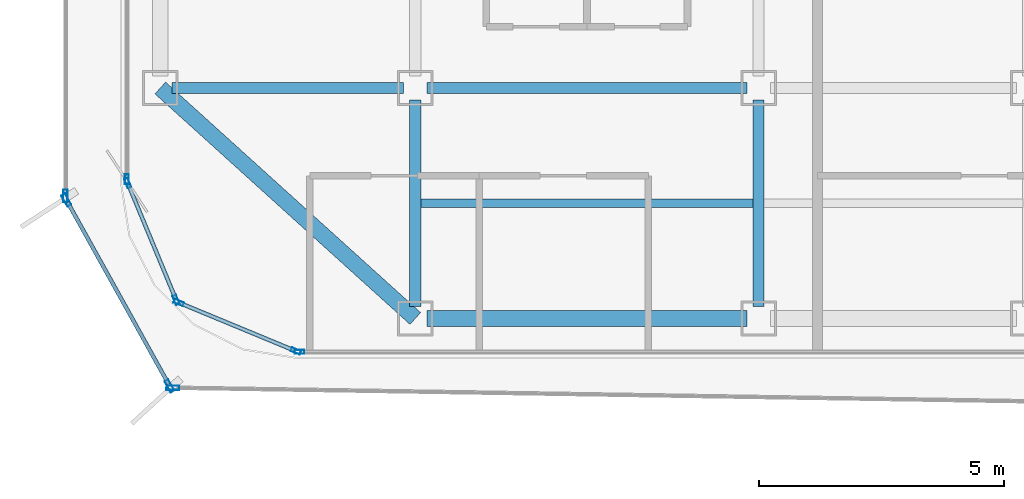
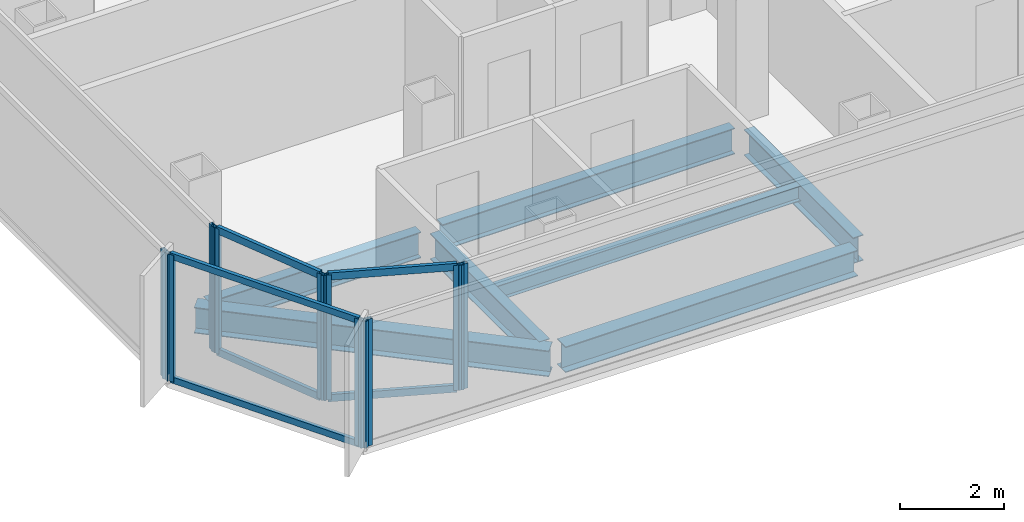
# One storey, part 2 of 16: 16 members, 7 beams, 7 elements without a shape of their own.
"""IFC4 building model written with IfcOpenShell, lengths in metres."""

from ifc_helpers import new_model, si_unit, direction, frame, origin, origin_2d, place, context, subcontext, project, spatial, hollow_rectangle, i_section, extrude, source, transform, mapped, material, layer, layer_set, material_profile, profile_set, type_object, element, aggregate, save


model = new_model("IFC4")

# Units and contexts
model_context = context("Model", 3, precision=1e-05, world=origin(), true_north=direction((0.0, 1.0)))
body_context = subcontext(model_context, "Body", "Model", "MODEL_VIEW")
ifc_project = project(units=[si_unit("LENGTHUNIT", "METRE"), si_unit("AREAUNIT", "SQUARE_METRE"), si_unit("VOLUMEUNIT", "CUBIC_METRE"), si_unit("PLANEANGLEUNIT", "RADIAN"), si_unit("MASSUNIT", "GRAM", prefix="KILO")], contexts=[model_context])

# Site, building, storey
site_placement = place(None, origin())
site = spatial("IfcSite", under=ifc_project, at=site_placement, CompositionType="ELEMENT")
building_placement = place(site_placement, origin())
building = spatial("IfcBuilding", under=site, at=building_placement, Name="Kolveth Station Tower", CompositionType="ELEMENT")
storey_placement = place(building_placement, frame((0.0, 0.0, 156.10009765625)))
storey = spatial("IfcBuildingStorey", under=building, at=storey_placement, Name="L43", CompositionType="ELEMENT", Elevation=156.10009765625)

# Beams
ifc_material_1 = material(Name="Steel S355", Category="steel")
ifc_material_profile_1 = material_profile(ifc_material_1, i_section(OverallWidth=0.323974609375, OverallDepth=0.611083984375, WebThickness=0.0126953125, FlangeThickness=0.01904296875, at=origin_2d()), Name="W610x155")
ifc_profile_set_1 = profile_set([ifc_material_profile_1], Name="Steel S355")
beam_type_1 = type_object("IfcBeamType", Name="Beam_SP2", PredefinedType="SPANDREL", material=ifc_profile_set_1)
shared_shape_1 = source(origin(), body_context, "Body", "SweptSolid", [
    extrude(i_section(OverallWidth=0.323974609375, OverallDepth=0.611083984375, WebThickness=0.0126953125, FlangeThickness=0.01904296875, at=origin_2d()), origin(), (0.0, 0.0, 1.0), 7.00927734375),
])
beam_1_placement = place(storey_placement, frame((0.800048828125, 5.5, -0.5556640625), z_axis=(0.741874009795, -0.670539300557, 0.0), x_axis=(0.670539300557, 0.741874009795, 0.0)))
element("IfcBeam", 1, at=beam_1_placement, inside=storey, type_object=beam_type_1, Name="L43 Corner Edge Girder BM-L43-CNR-SW", PredefinedType="SPANDREL", context=body_context, shape_type="MappedRepresentation", body=[
    mapped(shared_shape_1, transform((0.0, 0.0, 0.0), x_axis=(1.0, 0.0, 0.0), y_axis=(0.0, 1.0, 0.0), z_axis=(0.0, 0.0, 1.0), scale=1.0)),
])
shared_shape_2 = source(origin(), body_context, "Body", "SweptSolid", [
    extrude(i_section(OverallWidth=0.323974609375, OverallDepth=0.611083984375, WebThickness=0.0126953125, FlangeThickness=0.01904296875, at=origin_2d()), origin(), (0.0, 0.0, 1.0), 6.52001953125),
])
beam_2_placement = place(storey_placement, frame((6.239990234375, 0.800048828125, -0.5556640625), z_axis=(1.0, 0.0, 0.0), x_axis=(0.0, 1.0, 0.0)))
element("IfcBeam", 2, at=beam_2_placement, inside=storey, type_object=beam_type_1, Name="L43 Perimeter Spandrel BM-L43-PS-1", PredefinedType="SPANDREL", context=body_context, shape_type="MappedRepresentation", body=[
    mapped(shared_shape_2, transform((0.0, 0.0, 0.0), x_axis=(1.0, 0.0, 0.0), y_axis=(0.0, 1.0, 0.0), z_axis=(0.0, 0.0, 1.0), scale=1.0)),
])
ifc_material_profile_2 = material_profile(ifc_material_1, i_section(OverallWidth=0.22900390625, OverallDepth=0.612060546875, WebThickness=0.011962890625, FlangeThickness=0.01953125, at=origin_2d()), Name="W610x125")
ifc_profile_set_2 = profile_set([ifc_material_profile_2], Name="Steel S355")
beam_type_2 = type_object("IfcBeamType", Name="Beam_B5", PredefinedType="BEAM", material=ifc_profile_set_2)
shared_shape_3 = source(origin(), body_context, "Body", "SweptSolid", [
    extrude(i_section(OverallWidth=0.22900390625, OverallDepth=0.612060546875, WebThickness=0.011962890625, FlangeThickness=0.01953125, at=origin_2d()), origin(), (0.0, 0.0, 1.0), 4.719970703125),
])
beam_3_placement = place(storey_placement, frame((1.0400390625, 5.5, -0.55615234375), z_axis=(1.0, 0.0, 0.0), x_axis=(0.0, 1.0, 0.0)))
element("IfcBeam", 3, at=beam_3_placement, inside=storey, type_object=beam_type_2, Name="L43 Primary Girder BM-L43-GY55-1", PredefinedType="BEAM", context=body_context, shape_type="MappedRepresentation", body=[
    mapped(shared_shape_3, transform((0.0, 0.0, 0.0), x_axis=(1.0, 0.0, 0.0), y_axis=(0.0, 1.0, 0.0), z_axis=(0.0, 0.0, 1.0), scale=1.0)),
])
shared_shape_4 = source(origin(), body_context, "Body", "SweptSolid", [
    extrude(i_section(OverallWidth=0.22900390625, OverallDepth=0.612060546875, WebThickness=0.011962890625, FlangeThickness=0.01953125, at=origin_2d()), origin(), (0.0, 0.0, 1.0), 6.52001953125),
])
beam_4_placement = place(storey_placement, frame((6.239990234375, 5.5, -0.55615234375), z_axis=(1.0, 0.0, 0.0), x_axis=(0.0, 1.0, 0.0)))
element("IfcBeam", 4, at=beam_4_placement, inside=storey, type_object=beam_type_2, Name="L43 Primary Girder BM-L43-GY55-2", PredefinedType="BEAM", context=body_context, shape_type="MappedRepresentation", body=[
    mapped(shared_shape_4, transform((0.0, 0.0, 0.0), x_axis=(1.0, 0.0, 0.0), y_axis=(0.0, 1.0, 0.0), z_axis=(0.0, 0.0, 1.0), scale=1.0)),
])
shared_shape_5 = source(origin(), body_context, "Body", "SweptSolid", [
    extrude(i_section(OverallWidth=0.22900390625, OverallDepth=0.612060546875, WebThickness=0.011962890625, FlangeThickness=0.01953125, at=origin_2d()), origin(), (0.0, 0.0, 1.0), 4.219970703125),
])
for number, where, z_axis, x_axis, name in (
    (5, (6.0, 1.0400390625, -0.55615234375), (0.0, 1.0, 0.0), (-1.0, 0.0, 0.0), "L43 Primary Girder BM-L43-GX60-1"),
    (6, (13.0, 1.0400390625, -0.55615234375), (0.0, 1.0, 0.0), (-1.0, 0.0, 0.0), "L43 Primary Girder BM-L43-GX130-1"),
):
    element("IfcBeam", number, at=place(storey_placement, frame(where, z_axis=z_axis, x_axis=x_axis)), inside=storey, type_object=beam_type_2, Name=name, PredefinedType="BEAM", context=body_context, shape_type="MappedRepresentation", body=[
        mapped(shared_shape_5, transform((0.0, 0.0, 0.0), x_axis=(1.0, 0.0, 0.0), y_axis=(0.0, 1.0, 0.0), z_axis=(0.0, 0.0, 1.0), scale=1.0)),
    ])
ifc_material_profile_3 = material_profile(ifc_material_1, i_section(OverallWidth=0.1708984375, OverallDepth=0.35205078125, WebThickness=0.0068359375, FlangeThickness=0.009765625, at=origin_2d()), Name="W360x44")
ifc_profile_set_3 = profile_set([ifc_material_profile_3], Name="Steel S355")
beam_type_3 = type_object("IfcBeamType", Name="Beam_J2", PredefinedType="JOIST", material=ifc_profile_set_3)
shared_shape_6 = source(origin(), body_context, "Body", "SweptSolid", [
    extrude(i_section(OverallWidth=0.1708984375, OverallDepth=0.35205078125, WebThickness=0.0068359375, FlangeThickness=0.009765625, at=origin_2d()), origin(), (0.0, 0.0, 1.0), 6.77490234375),
])
beam_5_placement = place(storey_placement, frame((6.112548828125, 3.14990234375, -0.426025390625), z_axis=(1.0, 0.0, 0.0), x_axis=(0.0, 1.0, 0.0)))
element("IfcBeam", 7, at=beam_5_placement, inside=storey, type_object=beam_type_3, Name="L43 Secondary Joist JST-L43-2-1", PredefinedType="JOIST", context=body_context, shape_type="MappedRepresentation", body=[
    mapped(shared_shape_6, transform((0.0, 0.0, 0.0), x_axis=(1.0, 0.0, 0.0), y_axis=(0.0, 1.0, 0.0), z_axis=(0.0, 0.0, 1.0), scale=1.0)),
])

# Curtain wall, member
ifc_material_2 = material(Name="Aluminium 6063-T6 and low-E dark glass", Category="aluminium")
ifc_layer_1 = layer(ifc_material_2, 0.18994140625)
ifc_layer_set_1 = layer_set([ifc_layer_1], Name="Aluminium 6063-T6 and low-E dark glass")
curtain_wall_type_1 = type_object("IfcCurtainWallType", Name="CurtainWall_CW-Z2", PredefinedType="NOTDEFINED", material=ifc_layer_set_1)
curtain_wall_1_placement = place(storey_placement, origin())
curtain_wall_1 = element("IfcCurtainWall", 8, at=curtain_wall_1_placement, inside=storey, type_object=curtain_wall_type_1, Name="L43 Inner Thermal Curtain Wall 9", PredefinedType="NOTDEFINED")
ifc_material_3 = material(Name="Black anodized aluminium 6063-T6", Category="aluminium")
ifc_material_profile_4 = material_profile(ifc_material_3, hollow_rectangle(XDim=0.080078125, YDim=0.199951171875, WallThickness=0.0048828125, at=origin_2d()), Name="ALU-80x200x5")
ifc_profile_set_4 = profile_set([ifc_material_profile_4], Name="Black anodized aluminium 6063-T6")
member_type_1 = type_object("IfcMemberType", Name="Mullion_ML2", PredefinedType="MULLION", material=ifc_profile_set_4)
shared_shape_7 = source(origin(), body_context, "Body", "SweptSolid", [
    extrude(hollow_rectangle(XDim=0.080078125, YDim=0.199951171875, WallThickness=0.0048828125, at=origin_2d()), origin(), (0.0, 0.0, 1.0), 2.949951171875),
])
member_1_placement = place(storey_placement, frame((0.1201171875, 3.639892578125, 0.0), z_axis=(0.0, 0.0, 1.0), x_axis=(1.0, 0.0, 0.0)))
member_1 = element("IfcMember", 9, at=member_1_placement, type_object=member_type_1, Name="CW-Z2 mullion 2", PredefinedType="MULLION", context=body_context, shape_type="MappedRepresentation", body=[
    mapped(shared_shape_7, transform((0.0, 0.0, 0.0), x_axis=(1.0, 0.0, 0.0), y_axis=(0.0, 1.0, 0.0), z_axis=(0.0, 0.0, 1.0), scale=1.0)),
])
aggregate(curtain_wall_1, [member_1])

# Curtain wall, members
curtain_wall_2_placement = place(storey_placement, origin())
curtain_wall_2 = element("IfcCurtainWall", 10, at=curtain_wall_2_placement, inside=storey, type_object=curtain_wall_type_1, Name="L43 Inner Thermal Curtain Wall 10", PredefinedType="NOTDEFINED")
member_2_placement = place(storey_placement, frame((0.13525390625, 3.56298828125, 0.0), z_axis=(0.0, 0.0, 1.0), x_axis=(0.923873600544, 0.382697753087, 0.0)))
member_2 = element("IfcMember", 11, at=member_2_placement, type_object=member_type_1, Name="CW-Z2 mullion 1", PredefinedType="MULLION", context=body_context, shape_type="MappedRepresentation", body=[
    mapped(shared_shape_7, transform((0.0, 0.0, 0.0), x_axis=(1.0, 0.0, 0.0), y_axis=(0.0, 1.0, 0.0), z_axis=(0.0, 0.0, 1.0), scale=1.0)),
])
member_3_placement = place(storey_placement, frame((1.1240234375, 1.17626953125, 0.0), z_axis=(0.0, 0.0, 1.0), x_axis=(0.923873600544, 0.382697753087, 0.0)))
member_3 = element("IfcMember", 12, at=member_3_placement, type_object=member_type_1, Name="CW-Z2 mullion 2", PredefinedType="MULLION", context=body_context, shape_type="MappedRepresentation", body=[
    mapped(shared_shape_7, transform((0.0, 0.0, 0.0), x_axis=(1.0, 0.0, 0.0), y_axis=(0.0, 1.0, 0.0), z_axis=(0.0, 0.0, 1.0), scale=1.0)),
])

curtain_wall_3_placement = place(storey_placement, origin())
curtain_wall_3 = element("IfcCurtainWall", 13, at=curtain_wall_3_placement, inside=storey, type_object=curtain_wall_type_1, Name="L43 Inner Thermal Curtain Wall 11", PredefinedType="NOTDEFINED")
member_4_placement = place(storey_placement, frame((1.17626953125, 1.1240234375, 0.0), z_axis=(0.0, 0.0, 1.0), x_axis=(0.382697753087, 0.923873600544, 0.0)))
member_4 = element("IfcMember", 14, at=member_4_placement, type_object=member_type_1, Name="CW-Z2 mullion 1", PredefinedType="MULLION", context=body_context, shape_type="MappedRepresentation", body=[
    mapped(shared_shape_7, transform((0.0, 0.0, 0.0), x_axis=(1.0, 0.0, 0.0), y_axis=(0.0, 1.0, 0.0), z_axis=(0.0, 0.0, 1.0), scale=1.0)),
])
member_5_placement = place(storey_placement, frame((3.56298828125, 0.13525390625, 0.0), z_axis=(0.0, 0.0, 1.0), x_axis=(0.382697753087, 0.923873600544, 0.0)))
member_5 = element("IfcMember", 15, at=member_5_placement, type_object=member_type_1, Name="CW-Z2 mullion 2", PredefinedType="MULLION", context=body_context, shape_type="MappedRepresentation", body=[
    mapped(shared_shape_7, transform((0.0, 0.0, 0.0), x_axis=(1.0, 0.0, 0.0), y_axis=(0.0, 1.0, 0.0), z_axis=(0.0, 0.0, 1.0), scale=1.0)),
])

# Curtain wall, member
curtain_wall_4_placement = place(storey_placement, origin())
curtain_wall_4 = element("IfcCurtainWall", 16, at=curtain_wall_4_placement, inside=storey, type_object=curtain_wall_type_1, Name="L43 Inner Thermal Curtain Wall 12", PredefinedType="NOTDEFINED")
member_6_placement = place(storey_placement, frame((3.639892578125, 0.1201171875, 0.0), z_axis=(0.0, 0.0, 1.0), x_axis=(0.0, 1.0, 0.0)))
member_6 = element("IfcMember", 17, at=member_6_placement, type_object=member_type_1, Name="CW-Z2 mullion 1", PredefinedType="MULLION", context=body_context, shape_type="MappedRepresentation", body=[
    mapped(shared_shape_7, transform((0.0, 0.0, 0.0), x_axis=(1.0, 0.0, 0.0), y_axis=(0.0, 1.0, 0.0), z_axis=(0.0, 0.0, 1.0), scale=1.0)),
])
aggregate(curtain_wall_4, [member_6])

ifc_material_4 = material(Name="Black anodized aluminium 6063-T6 and dark solar glass", Category="aluminium")
ifc_layer_2 = layer(ifc_material_4, 0.159912109375)
ifc_layer_set_2 = layer_set([ifc_layer_2], Name="Black anodized aluminium 6063-T6 and dark solar glass")
curtain_wall_type_2 = type_object("IfcCurtainWallType", Name="OUTER SKIN CW-OS", PredefinedType="NOTDEFINED", material=ifc_layer_set_2)
curtain_wall_5_placement = place(storey_placement, origin())
curtain_wall_5 = element("IfcCurtainWall", 18, at=curtain_wall_5_placement, inside=storey, type_object=curtain_wall_type_2, Name="L43 Outer Ventilated Skin Curtain Wall 6", PredefinedType="NOTDEFINED")
ifc_material_profile_5 = material_profile(ifc_material_3, hollow_rectangle(XDim=0.090087890625, YDim=0.260009765625, WallThickness=0.0048828125, at=origin_2d()), Name="ALU-90x260x5")
ifc_profile_set_5 = profile_set([ifc_material_profile_5], Name="Black anodized aluminium 6063-T6")
member_type_2 = type_object("IfcMemberType", Name="FIN MULLION ML-OS", PredefinedType="MULLION", material=ifc_profile_set_5)
shared_shape_8 = source(origin(), body_context, "Body", "SweptSolid", [
    extrude(hollow_rectangle(XDim=0.090087890625, YDim=0.260009765625, WallThickness=0.0048828125, at=origin_2d()), origin(), (0.0, 0.0, 1.0), 2.989990234375),
])
member_7_placement = place(storey_placement, frame((-1.13671875, 3.298828125, 0.0), z_axis=(0.0, 0.0, 1.0), x_axis=(0.999999324349, -0.001162454784, 0.0)))
member_7 = element("IfcMember", 19, at=member_7_placement, type_object=member_type_2, Name="CW-OS mullion 2", PredefinedType="MULLION", context=body_context, shape_type="MappedRepresentation", body=[
    mapped(shared_shape_8, transform((0.0, 0.0, 0.0), x_axis=(1.0, 0.0, 0.0), y_axis=(0.0, 1.0, 0.0), z_axis=(0.0, 0.0, 1.0), scale=1.0)),
])
aggregate(curtain_wall_5, [member_7])

# Curtain wall, members
curtain_wall_6_placement = place(storey_placement, origin())
curtain_wall_6 = element("IfcCurtainWall", 20, at=curtain_wall_6_placement, inside=storey, type_object=curtain_wall_type_2, Name="L43 Outer Ventilated Skin Curtain Wall 7", PredefinedType="NOTDEFINED")
member_8_placement = place(storey_placement, frame((-1.11474609375, 3.21435546875, 0.0), z_axis=(0.0, 0.0, 1.0), x_axis=(0.874283042792, 0.485416482093, 0.0)))
member_8 = element("IfcMember", 21, at=member_8_placement, type_object=member_type_2, Name="CW-OS mullion 1", PredefinedType="MULLION", context=body_context, shape_type="MappedRepresentation", body=[
    mapped(shared_shape_8, transform((0.0, 0.0, 0.0), x_axis=(1.0, 0.0, 0.0), y_axis=(0.0, 1.0, 0.0), z_axis=(0.0, 0.0, 1.0), scale=1.0)),
])
member_9_placement = place(storey_placement, frame((0.9892578125, -0.5751953125, 0.0), z_axis=(0.0, 0.0, 1.0), x_axis=(0.874283042792, 0.485416482093, 0.0)))
member_9 = element("IfcMember", 22, at=member_9_placement, type_object=member_type_2, Name="CW-OS mullion 2", PredefinedType="MULLION", context=body_context, shape_type="MappedRepresentation", body=[
    mapped(shared_shape_8, transform((0.0, 0.0, 0.0), x_axis=(1.0, 0.0, 0.0), y_axis=(0.0, 1.0, 0.0), z_axis=(0.0, 0.0, 1.0), scale=1.0)),
])

# Curtain wall, member
curtain_wall_7_placement = place(storey_placement, origin())
curtain_wall_7 = element("IfcCurtainWall", 23, at=curtain_wall_7_placement, inside=storey, type_object=curtain_wall_type_2, Name="L43 Outer Ventilated Skin Curtain Wall 8", PredefinedType="NOTDEFINED")
member_10_placement = place(storey_placement, frame((1.05615234375, -0.615234375, 0.0), z_axis=(0.0, 0.0, 1.0), x_axis=(0.015877934865, 0.999873937646, 0.0)))
member_10 = element("IfcMember", 24, at=member_10_placement, type_object=member_type_2, Name="CW-OS mullion 1", PredefinedType="MULLION", context=body_context, shape_type="MappedRepresentation", body=[
    mapped(shared_shape_8, transform((0.0, 0.0, 0.0), x_axis=(1.0, 0.0, 0.0), y_axis=(0.0, 1.0, 0.0), z_axis=(0.0, 0.0, 1.0), scale=1.0)),
])
aggregate(curtain_wall_7, [member_10])

# Member
ifc_material_profile_6 = material_profile(ifc_material_3, hollow_rectangle(XDim=0.080078125, YDim=0.169921875, WallThickness=0.0048828125, at=origin_2d()), Name="ALU-80x170x5")
ifc_profile_set_6 = profile_set([ifc_material_profile_6], Name="Black anodized aluminium 6063-T6")
member_type_3 = type_object("IfcMemberType", Name="Transom_TR2", PredefinedType="USERDEFINED", material=ifc_profile_set_6)
shared_shape_9 = source(origin(), body_context, "Body", "SweptSolid", [
    extrude(hollow_rectangle(XDim=0.080078125, YDim=0.169921875, WallThickness=0.0048828125, at=origin_2d()), origin(), (0.0, 0.0, 1.0), 2.50341796875),
])
member_11_placement = place(storey_placement, frame((0.150634765625, 3.526123046875, 0.039794921875), z_axis=(0.382661849723, -0.923888472039, 0.0), x_axis=(0.923888472039, 0.382661849723, 0.0)))
member_11 = element("IfcMember", 25, at=member_11_placement, type_object=member_type_3, Name="CW-Z2 transom 1.1", ObjectType="TRANSOM", PredefinedType="USERDEFINED", context=body_context, shape_type="MappedRepresentation", body=[
    mapped(shared_shape_9, transform((0.0, 0.0, 0.0), x_axis=(1.0, 0.0, 0.0), y_axis=(0.0, 1.0, 0.0), z_axis=(0.0, 0.0, 1.0), scale=1.0)),
])

member_12_placement = place(storey_placement, frame((0.150634765625, 3.526123046875, 2.909912109375), z_axis=(0.382661849723, -0.923888472039, 0.0), x_axis=(0.923888472039, 0.382661849723, 0.0)))
member_12 = element("IfcMember", 26, at=member_12_placement, type_object=member_type_3, Name="CW-Z2 transom 1.2", ObjectType="TRANSOM", PredefinedType="USERDEFINED", context=body_context, shape_type="MappedRepresentation", body=[
    mapped(shared_shape_9, transform((0.0, 0.0, 0.0), x_axis=(1.0, 0.0, 0.0), y_axis=(0.0, 1.0, 0.0), z_axis=(0.0, 0.0, 1.0), scale=1.0)),
])

aggregate(curtain_wall_2, [member_2, member_3, member_11, member_12])

member_13_placement = place(storey_placement, frame((1.213134765625, 1.108642578125, 0.039794921875), z_axis=(0.923888472039, -0.382661849723, 0.0), x_axis=(0.382661849723, 0.923888472039, 0.0)))
member_13 = element("IfcMember", 27, at=member_13_placement, type_object=member_type_3, Name="CW-Z2 transom 1.1", ObjectType="TRANSOM", PredefinedType="USERDEFINED", context=body_context, shape_type="MappedRepresentation", body=[
    mapped(shared_shape_9, transform((0.0, 0.0, 0.0), x_axis=(1.0, 0.0, 0.0), y_axis=(0.0, 1.0, 0.0), z_axis=(0.0, 0.0, 1.0), scale=1.0)),
])

member_14_placement = place(storey_placement, frame((1.213134765625, 1.108642578125, 2.909912109375), z_axis=(0.923888472039, -0.382661849723, 0.0), x_axis=(0.382661849723, 0.923888472039, 0.0)))
member_14 = element("IfcMember", 28, at=member_14_placement, type_object=member_type_3, Name="CW-Z2 transom 1.2", ObjectType="TRANSOM", PredefinedType="USERDEFINED", context=body_context, shape_type="MappedRepresentation", body=[
    mapped(shared_shape_9, transform((0.0, 0.0, 0.0), x_axis=(1.0, 0.0, 0.0), y_axis=(0.0, 1.0, 0.0), z_axis=(0.0, 0.0, 1.0), scale=1.0)),
])

aggregate(curtain_wall_3, [member_4, member_5, member_13, member_14])

ifc_material_profile_7 = material_profile(ifc_material_3, hollow_rectangle(XDim=0.080078125, YDim=0.14990234375, WallThickness=0.0048828125, at=origin_2d()), Name="ALU-80x150x5")
ifc_profile_set_7 = profile_set([ifc_material_profile_7], Name="Black anodized aluminium 6063-T6")
member_type_4 = type_object("IfcMemberType", Name="Transom_TR-OS", PredefinedType="USERDEFINED", material=ifc_profile_set_7)
shared_shape_10 = source(origin(), body_context, "Body", "SweptSolid", [
    extrude(hollow_rectangle(XDim=0.080078125, YDim=0.14990234375, WallThickness=0.0048828125, at=origin_2d()), origin(), (0.0, 0.0, 1.0), 4.24462890625),
])
member_15_placement = place(storey_placement, frame((-1.093017578125, 3.175048828125, 0.039794921875), z_axis=(0.48544757665, -0.874265777853, 0.0), x_axis=(0.874265777853, 0.48544757665, 0.0)))
member_15 = element("IfcMember", 29, at=member_15_placement, type_object=member_type_4, Name="CW-OS transom 1.1", ObjectType="TRANSOM", PredefinedType="USERDEFINED", context=body_context, shape_type="MappedRepresentation", body=[
    mapped(shared_shape_10, transform((0.0, 0.0, 0.0), x_axis=(1.0, 0.0, 0.0), y_axis=(0.0, 1.0, 0.0), z_axis=(0.0, 0.0, 1.0), scale=1.0)),
])

member_16_placement = place(storey_placement, frame((-1.093017578125, 3.175048828125, 2.949951171875), z_axis=(0.48544757665, -0.874265777853, 0.0), x_axis=(0.874265777853, 0.48544757665, 0.0)))
member_16 = element("IfcMember", 30, at=member_16_placement, type_object=member_type_4, Name="CW-OS transom 1.2", ObjectType="TRANSOM", PredefinedType="USERDEFINED", context=body_context, shape_type="MappedRepresentation", body=[
    mapped(shared_shape_10, transform((0.0, 0.0, 0.0), x_axis=(1.0, 0.0, 0.0), y_axis=(0.0, 1.0, 0.0), z_axis=(0.0, 0.0, 1.0), scale=1.0)),
])

aggregate(curtain_wall_6, [member_8, member_9, member_15, member_16])

save(model, "model.ifc")
